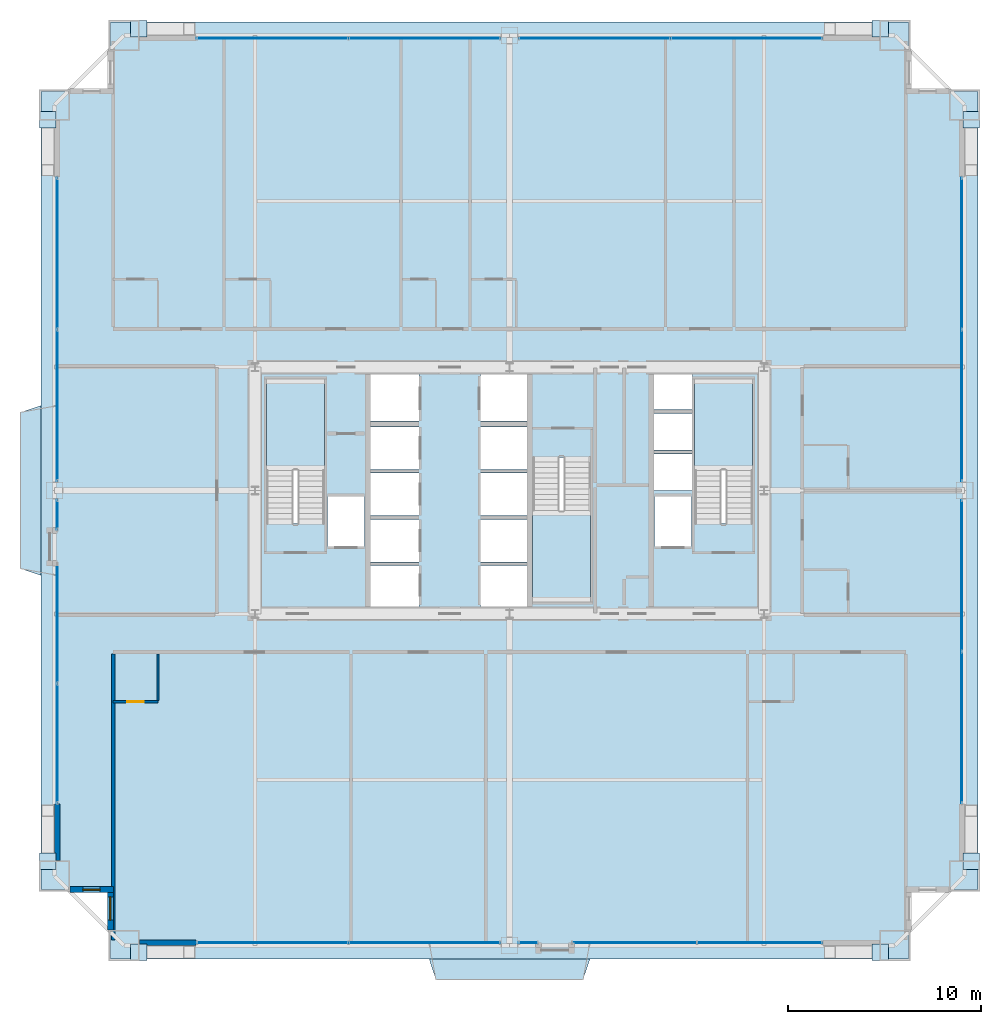
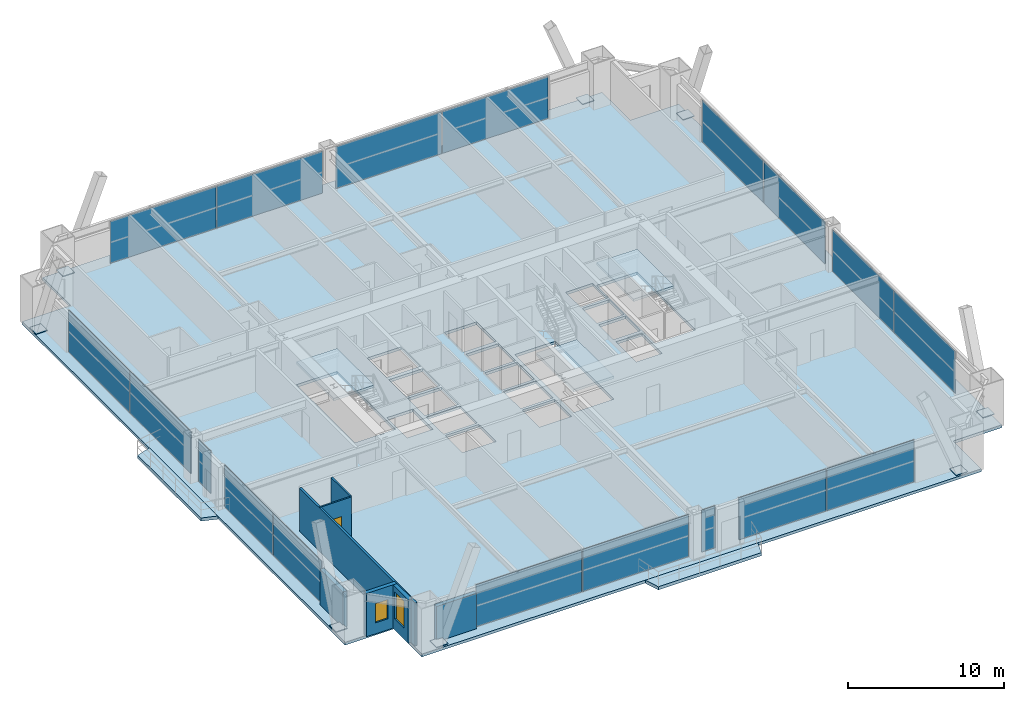
# One storey, part 36 of 41: 26 plates, 7 walls, 6 slabs, 2 windows, 1 door, 3 openings, 13 elements without a shape of their own.
"""IFC4 building model written with IfcOpenShell, lengths in metres."""

from ifc_helpers import new_model, si_unit, direction, frame, frame_2d, origin, origin_2d, place, context, subcontext, project, spatial, polyline, rectangle, outline, extrude, source, transform, mapped, material, layer, layer_set, type_object, element, fill, aggregate, save


model = new_model("IFC4")

# Units and contexts
model_context = context("Model", 3, precision=1e-05, world=origin(), true_north=direction((0.0, 1.0)))
body_context = subcontext(model_context, "Body", "Model", "MODEL_VIEW")
ifc_project = project(units=[si_unit("LENGTHUNIT", "METRE"), si_unit("AREAUNIT", "SQUARE_METRE"), si_unit("VOLUMEUNIT", "CUBIC_METRE"), si_unit("PLANEANGLEUNIT", "RADIAN"), si_unit("MASSUNIT", "GRAM", prefix="KILO"), si_unit("THERMODYNAMICTEMPERATUREUNIT", "KELVIN"), si_unit("POWERUNIT", "WATT")], contexts=[model_context])

# Site, building, storey
site_placement = place(None, origin())
site = spatial("IfcSite", under=ifc_project, at=site_placement, CompositionType="ELEMENT")
building_placement = place(site_placement, origin())
building = spatial("IfcBuilding", under=site, at=building_placement, Name="Yuzanri Waterfront Tower", CompositionType="ELEMENT")
storey_placement = place(building_placement, frame((0.0, 0.0, 115.39990234375)))
storey = spatial("IfcBuildingStorey", under=building, at=storey_placement, Name="L30", CompositionType="ELEMENT", Elevation=115.39990234375)

# Stair, slab
ifc_material_1 = material(Name="Concrete C40", Category="concrete")
stair_type = type_object("IfcStairType", Name="Concrete C40 Core Dogleg Exit Stair", PredefinedType="HALF_TURN_STAIR", material=ifc_material_1)
stair_1_placement = place(storey_placement, origin())
stair_1 = element("IfcStair", 1, at=stair_1_placement, inside=storey, type_object=stair_type, Name="L30 Smoke-Proof Core Stair ST-01", PredefinedType="HALF_TURN_STAIR")
ifc_material_2 = material(Name="Concrete C40", Category="concrete")
ifc_layer_1 = layer(ifc_material_2, 0.179931640625)
ifc_layer_set_1 = layer_set([ifc_layer_1], Name="Concrete C40")
slab_type_1 = type_object("IfcSlabType", Name="Concrete C40 Stair Half-Landing Slab 180", PredefinedType="LANDING", material=ifc_layer_set_1)
slab_1_placement = place(storey_placement, frame((0.0, 0.0, 1.60009765625)))
slab_1 = element("IfcSlab", 2, at=slab_1_placement, type_object=slab_type_1, Name="ST-01 landing 1", PredefinedType="LANDING", context=body_context, shape_type="SweptSolid", body=[
    extrude(outline(polyline([(27.39990234375, 26.840087890625), (27.39990234375, 31.580078125), (24.39990234375, 31.580078125), (24.39990234375, 26.840087890625), (27.39990234375, 26.840087890625)])), origin(), (0.0, 0.0, 1.0), 0.199951171875),
])
aggregate(stair_1, [slab_1])

stair_2_placement = place(storey_placement, origin())
stair_2 = element("IfcStair", 3, at=stair_2_placement, inside=storey, type_object=stair_type, Name="L30 Smoke-Proof Core Stair ST-02", PredefinedType="HALF_TURN_STAIR")
slab_2_placement = place(storey_placement, frame((0.0, 0.0, 1.60009765625)))
slab_2 = element("IfcSlab", 4, at=slab_2_placement, type_object=slab_type_1, Name="ST-02 landing 1", PredefinedType="LANDING", context=body_context, shape_type="SweptSolid", body=[
    extrude(outline(polyline([(49.60009765625, 26.840087890625), (49.60009765625, 31.580078125), (46.60009765625, 31.580078125), (46.60009765625, 26.840087890625), (49.60009765625, 26.840087890625)])), origin(), (0.0, 0.0, 1.0), 0.199951171875),
])
aggregate(stair_2, [slab_2])

stair_3_placement = place(storey_placement, origin())
stair_3 = element("IfcStair", 5, at=stair_3_placement, inside=storey, type_object=stair_type, Name="L30 Smoke-Proof Core Stair ST-03", PredefinedType="HALF_TURN_STAIR")
slab_3_placement = place(storey_placement, frame((0.0, 0.0, 1.60009765625)))
slab_3 = element("IfcSlab", 6, at=slab_3_placement, type_object=slab_type_1, Name="ST-03 landing 1", PredefinedType="LANDING", context=body_context, shape_type="SweptSolid", body=[
    extrude(outline(polyline([(38.199951171875, 24.760009765625), (38.199951171875, 20.02001953125), (41.199951171875, 20.02001953125), (41.199951171875, 24.760009765625), (38.199951171875, 24.760009765625)])), origin(), (0.0, 0.0, 1.0), 0.199951171875),
])
aggregate(stair_3, [slab_3])

# Slabs
ifc_material_3 = material(Name="Concrete C40", Category="concrete")
ifc_layer_2 = layer(ifc_material_3, 0.25)
ifc_layer_set_2 = layer_set([ifc_layer_2], Name="Concrete C40")
slab_type_2 = type_object("IfcSlabType", Name="Concrete C40 Stepped Gorge Pocket Garden Terrace Slab 250", PredefinedType="FLOOR", material=ifc_layer_set_2)
slab_4_placement = place(storey_placement, frame((0.0, 0.0, -0.25)))
element("IfcSlab", 7, at=slab_4_placement, inside=storey, type_object=slab_type_2, Name="L30 S Cantilevered Engawa Terrace Slab", PredefinedType="FLOOR", context=body_context, shape_type="SweptSolid", body=[
    extrude(outline(polyline([(32.8349609375, 1.5), (41.1650390625, 1.5), (40.81494140625, 0.43896484375), (33.18505859375, 0.43896484375), (32.8349609375, 1.5)])), origin(), (0.0, 0.0, 1.0), 0.25),
])
slab_5_placement = place(storey_placement, frame((0.0, 0.0, -0.25)))
element("IfcSlab", 8, at=slab_5_placement, inside=storey, type_object=slab_type_2, Name="L30 W Cantilevered Engawa Terrace Slab", PredefinedType="FLOOR", context=body_context, shape_type="SweptSolid", body=[
    extrude(outline(polyline([(12.699951171875, 21.39990234375), (11.638916015625, 21.75), (11.638916015625, 29.85009765625), (12.699951171875, 30.199951171875), (12.699951171875, 21.39990234375)])), origin(), (0.0, 0.0, 1.0), 0.25),
])
ifc_material_4 = material(Name="Concrete C40", Category="concrete")
ifc_layer_3 = layer(ifc_material_4, 0.219970703125)
ifc_layer_set_3 = layer_set([ifc_layer_3], Name="Concrete C40")
slab_type_3 = type_object("IfcSlabType", Name="Concrete C40 Tower Typical Structural Floor Slab 220", PredefinedType="FLOOR", material=ifc_layer_set_3)
slab_6_placement = place(storey_placement, frame((0.0, 0.0, -0.219970703125)))
element("IfcSlab", 9, at=slab_6_placement, inside=storey, type_object=slab_type_3, Name="L30 Main Structural Floor Slab", PredefinedType="FLOOR", context=body_context, shape_type="SweptSolid", body=[
    extrude(outline(polyline([(16.300048828125, 1.5), (57.699951171875, 1.5), (57.699951171875, 5.10009765625), (61.300048828125, 5.10009765625), (61.300048828125, 46.5), (57.699951171875, 46.5), (57.699951171875, 50.10009765625), (16.300048828125, 50.10009765625), (16.300048828125, 46.5), (12.699951171875, 46.5), (12.699951171875, 5.10009765625), (16.300048828125, 5.10009765625), (16.300048828125, 1.5)]), holes=[polyline([(27.39990234375, 24.10009765625), (27.39990234375, 31.580078125), (24.39990234375, 31.580078125), (24.39990234375, 24.10009765625), (27.39990234375, 24.10009765625)]), polyline([(49.60009765625, 24.10009765625), (49.60009765625, 31.580078125), (46.60009765625, 31.580078125), (46.60009765625, 24.10009765625), (49.60009765625, 24.10009765625)]), polyline([(38.199951171875, 27.5), (38.199951171875, 20.02001953125), (41.199951171875, 20.02001953125), (41.199951171875, 27.5), (38.199951171875, 27.5)]), polyline([(27.56005859375, 22.89990234375), (29.47998046875, 22.89990234375), (29.47998046875, 25.5), (27.56005859375, 25.5), (27.56005859375, 22.89990234375)]), polyline([(44.52001953125, 22.89990234375), (46.43994140625, 22.89990234375), (46.43994140625, 25.5), (44.52001953125, 25.5), (44.52001953125, 22.89990234375)]), polyline([(29.800048828125, 19.699951171875), (32.300048828125, 19.699951171875), (32.300048828125, 21.89990234375), (29.800048828125, 21.89990234375), (29.800048828125, 19.699951171875)]), polyline([(29.800048828125, 22.10009765625), (32.300048828125, 22.10009765625), (32.300048828125, 24.300048828125), (29.800048828125, 24.300048828125), (29.800048828125, 22.10009765625)]), polyline([(29.800048828125, 24.5), (32.300048828125, 24.5), (32.300048828125, 26.699951171875), (29.800048828125, 26.699951171875), (29.800048828125, 24.5)]), polyline([(29.800048828125, 26.89990234375), (32.300048828125, 26.89990234375), (32.300048828125, 29.10009765625), (29.800048828125, 29.10009765625), (29.800048828125, 26.89990234375)]), polyline([(29.800048828125, 29.39990234375), (32.300048828125, 29.39990234375), (32.300048828125, 31.89990234375), (29.800048828125, 31.89990234375), (29.800048828125, 29.39990234375)]), polyline([(35.5, 19.699951171875), (37.89990234375, 19.699951171875), (37.89990234375, 21.89990234375), (35.5, 21.89990234375), (35.5, 19.699951171875)]), polyline([(35.5, 22.10009765625), (37.89990234375, 22.10009765625), (37.89990234375, 24.300048828125), (35.5, 24.300048828125), (35.5, 22.10009765625)]), polyline([(35.5, 24.5), (37.89990234375, 24.5), (37.89990234375, 26.699951171875), (35.5, 26.699951171875), (35.5, 24.5)]), polyline([(35.5, 26.89990234375), (37.89990234375, 26.89990234375), (37.89990234375, 29.10009765625), (35.5, 29.10009765625), (35.5, 26.89990234375)]), polyline([(35.5, 29.39990234375), (37.89990234375, 29.39990234375), (37.89990234375, 31.89990234375), (35.5, 31.89990234375), (35.5, 29.39990234375)]), polyline([(44.5, 25.800048828125), (46.5, 25.800048828125), (46.5, 27.699951171875), (44.5, 27.699951171875), (44.5, 25.800048828125)]), polyline([(44.5, 27.89990234375), (46.5, 27.89990234375), (46.5, 29.800048828125), (44.5, 29.800048828125), (44.5, 27.89990234375)]), polyline([(44.5, 30.0), (46.5, 30.0), (46.5, 31.89990234375), (44.5, 31.89990234375), (44.5, 30.0)])]), origin(), (0.0, 0.0, 1.0), 0.219970703125),
])

# Plates
ifc_material_5 = material(Name="Steel Q420GJC", Category="steel")
ifc_layer_4 = layer(ifc_material_5, 0.0400390625)
ifc_layer_set_4 = layer_set([ifc_layer_4], Name="Steel Q420GJC")
plate_type_1 = type_object("IfcPlateType", Name="Steel Q420GJC Mega-Brace Gusset and End-Cap Plate 40", PredefinedType="SHEET", material=ifc_layer_set_4)
shared_shape_1 = source(origin(), body_context, "Body", "SweptSolid", [
    extrude(rectangle(XDim=0.85009765625, YDim=0.85009765625, at=origin_2d()), origin(), (0.0, 0.0, 1.0), 0.0400390625),
])
for number, where, z_axis, x_axis, name in (
    (10, (17.780029296875, 1.860107421875, 0.16015625), (0.0, 0.0, 1.0), (1.0, 0.0, 0.0), "L30 Mega-Brace Foot Cap Plate S-L"),
    (11, (56.219970703125, 1.860107421875, 0.16015625), (0.0, 0.0, 1.0), (1.0, 0.0, 0.0), "L30 Mega-Brace Foot Cap Plate S-R"),
    (12, (17.780029296875, 49.739990234375, 0.16015625), (0.0, 0.0, 1.0), (1.0, 0.0, 0.0), "L30 Mega-Brace Foot Cap Plate N-L"),
    (13, (56.219970703125, 49.739990234375, 0.16015625), (0.0, 0.0, 1.0), (1.0, 0.0, 0.0), "L30 Mega-Brace Foot Cap Plate N-R"),
    (14, (13.06005859375, 6.580078125, 0.16015625), (0.0, 0.0, 1.0), (1.0, 0.0, 0.0), "L30 Mega-Brace Foot Cap Plate W-L"),
    (15, (13.06005859375, 45.02001953125, 0.16015625), (0.0, 0.0, 1.0), (1.0, 0.0, 0.0), "L30 Mega-Brace Foot Cap Plate W-R"),
    (16, (60.93994140625, 6.580078125, 0.16015625), (0.0, 0.0, 1.0), (1.0, 0.0, 0.0), "L30 Mega-Brace Foot Cap Plate E-L"),
    (17, (60.93994140625, 45.02001953125, 0.16015625), (0.0, 0.0, 1.0), (1.0, 0.0, 0.0), "L30 Mega-Brace Foot Cap Plate E-R"),
):
    element("IfcPlate", number, at=place(storey_placement, frame(where, z_axis=z_axis, x_axis=x_axis)), inside=storey, type_object=plate_type_1, Name=name, PredefinedType="SHEET", context=body_context, shape_type="MappedRepresentation", body=[
        mapped(shared_shape_1, transform((0.0, 0.0, 0.0), scale=1.0)),
    ])

# Curtain wall, plate
ifc_material_6 = material(Name="Anodized Architectural Bronze", Category="metal")
ifc_layer_5 = layer(ifc_material_6, 0.159912109375)
ifc_layer_set_5 = layer_set([ifc_layer_5], Name="Anodized Architectural Bronze")
curtain_wall_type = type_object("IfcCurtainWallType", Name="Anodized Bronze Hotel Upper-Tier Solar-Control Unitized Curtain Wall 7800", PredefinedType="NOTDEFINED", material=ifc_layer_set_5)
curtain_wall_1_placement = place(storey_placement, origin())
curtain_wall_1 = element("IfcCurtainWall", 18, at=curtain_wall_1_placement, inside=storey, type_object=curtain_wall_type, Name="L30 Curtain Wall CW-L30-WL2", PredefinedType="NOTDEFINED")
ifc_material_7 = material(Name="Double-Silver Low-E Insulated Glass", Category="glass")
ifc_layer_6 = layer(ifc_material_7, 0.035888671875)
ifc_layer_set_6 = layer_set([ifc_layer_6], Name="Double-Silver Low-E Insulated Glass")
plate_type_2 = type_object("IfcPlateType", Name="Double Silver Low-E Insulated Vision Glass Panel 36", PredefinedType="CURTAIN_PANEL", material=ifc_layer_set_6)
shared_shape_2 = source(origin(), body_context, "Body", "SweptSolid", [
    extrude(rectangle(XDim=1.544921875, YDim=0.035888671875, at=origin_2d()), origin(), (0.0, 0.0, 1.0), 3.280029296875),
])
plate_1_placement = place(storey_placement, frame((13.550048828125, 24.53759765625, 0.05029296875), z_axis=(0.0, 0.0, 1.0), x_axis=(0.0, 1.0, 0.0)))
plate_1 = element("IfcPlate", 19, at=plate_1_placement, type_object=plate_type_2, Name="CW-L30-WL2 Vision Glass Panel 01", PredefinedType="CURTAIN_PANEL", context=body_context, shape_type="MappedRepresentation", body=[
    mapped(shared_shape_2, transform((0.0, 0.0, 0.0), scale=1.0)),
])
aggregate(curtain_wall_1, [plate_1])

# Curtain wall, plates
curtain_wall_2_placement = place(storey_placement, origin())
curtain_wall_2 = element("IfcCurtainWall", 20, at=curtain_wall_2_placement, inside=storey, type_object=curtain_wall_type, Name="L30 Curtain Wall CW-L30-SL", PredefinedType="NOTDEFINED")
shared_shape_3 = source(origin(), body_context, "Body", "SweptSolid", [
    extrude(rectangle(XDim=7.820068359375, YDim=0.035888671875, at=origin_2d()), origin(), (0.0, 0.0, 1.0), 3.280029296875),
])
plate_2_placement = place(storey_placement, frame((24.699951171875, 2.35009765625, 0.05029296875), z_axis=(0.0, 0.0, 1.0), x_axis=(1.0, 0.0, 0.0)))
plate_2 = element("IfcPlate", 21, at=plate_2_placement, type_object=plate_type_2, Name="CW-L30-SL Vision Glass Panel 01", PredefinedType="CURTAIN_PANEL", context=body_context, shape_type="MappedRepresentation", body=[
    mapped(shared_shape_3, transform((0.0, 0.0, 0.0), scale=1.0)),
])
plate_3_placement = place(storey_placement, frame((32.60009765625, 2.35009765625, 0.05029296875), z_axis=(0.0, 0.0, 1.0), x_axis=(1.0, 0.0, 0.0)))
plate_3 = element("IfcPlate", 22, at=plate_3_placement, type_object=plate_type_2, Name="CW-L30-SL Vision Glass Panel 02", PredefinedType="CURTAIN_PANEL", context=body_context, shape_type="MappedRepresentation", body=[
    mapped(shared_shape_3, transform((0.0, 0.0, 0.0), scale=1.0)),
])
aggregate(curtain_wall_2, [plate_2, plate_3])

curtain_wall_3_placement = place(storey_placement, origin())
curtain_wall_3 = element("IfcCurtainWall", 23, at=curtain_wall_3_placement, inside=storey, type_object=curtain_wall_type, Name="L30 Curtain Wall CW-L30-NL", PredefinedType="NOTDEFINED")
plate_4_placement = place(storey_placement, frame((24.699951171875, 49.25, 0.05029296875), z_axis=(0.0, 0.0, 1.0), x_axis=(1.0, 0.0, 0.0)))
plate_4 = element("IfcPlate", 24, at=plate_4_placement, type_object=plate_type_2, Name="CW-L30-NL Vision Glass Panel 01", PredefinedType="CURTAIN_PANEL", context=body_context, shape_type="MappedRepresentation", body=[
    mapped(shared_shape_3, transform((0.0, 0.0, 0.0), scale=1.0)),
])
plate_5_placement = place(storey_placement, frame((32.60009765625, 49.25, 0.05029296875), z_axis=(0.0, 0.0, 1.0), x_axis=(1.0, 0.0, 0.0)))
plate_5 = element("IfcPlate", 25, at=plate_5_placement, type_object=plate_type_2, Name="CW-L30-NL Vision Glass Panel 02", PredefinedType="CURTAIN_PANEL", context=body_context, shape_type="MappedRepresentation", body=[
    mapped(shared_shape_3, transform((0.0, 0.0, 0.0), scale=1.0)),
])
aggregate(curtain_wall_3, [plate_4, plate_5])

curtain_wall_4_placement = place(storey_placement, origin())
curtain_wall_4 = element("IfcCurtainWall", 26, at=curtain_wall_4_placement, inside=storey, type_object=curtain_wall_type, Name="L30 Curtain Wall CW-L30-NR", PredefinedType="NOTDEFINED")
plate_6_placement = place(storey_placement, frame((41.39990234375, 49.25, 0.05029296875), z_axis=(0.0, 0.0, 1.0), x_axis=(1.0, 0.0, 0.0)))
plate_6 = element("IfcPlate", 27, at=plate_6_placement, type_object=plate_type_2, Name="CW-L30-NR Vision Glass Panel 01", PredefinedType="CURTAIN_PANEL", context=body_context, shape_type="MappedRepresentation", body=[
    mapped(shared_shape_3, transform((0.0, 0.0, 0.0), scale=1.0)),
])
plate_7_placement = place(storey_placement, frame((49.300048828125, 49.25, 0.05029296875), z_axis=(0.0, 0.0, 1.0), x_axis=(1.0, 0.0, 0.0)))
plate_7 = element("IfcPlate", 28, at=plate_7_placement, type_object=plate_type_2, Name="CW-L30-NR Vision Glass Panel 02", PredefinedType="CURTAIN_PANEL", context=body_context, shape_type="MappedRepresentation", body=[
    mapped(shared_shape_3, transform((0.0, 0.0, 0.0), scale=1.0)),
])
aggregate(curtain_wall_4, [plate_6, plate_7])

curtain_wall_5_placement = place(storey_placement, origin())
curtain_wall_5 = element("IfcCurtainWall", 29, at=curtain_wall_5_placement, inside=storey, type_object=curtain_wall_type, Name="L30 Curtain Wall CW-L30-WR", PredefinedType="NOTDEFINED")
plate_8_placement = place(storey_placement, frame((13.550048828125, 30.199951171875, 0.05029296875), z_axis=(0.0, 0.0, 1.0), x_axis=(0.0, 1.0, 0.0)))
plate_8 = element("IfcPlate", 30, at=plate_8_placement, type_object=plate_type_2, Name="CW-L30-WR Vision Glass Panel 01", PredefinedType="CURTAIN_PANEL", context=body_context, shape_type="MappedRepresentation", body=[
    mapped(shared_shape_3, transform((0.0, 0.0, 0.0), scale=1.0)),
])
plate_9_placement = place(storey_placement, frame((13.550048828125, 38.10009765625, 0.05029296875), z_axis=(0.0, 0.0, 1.0), x_axis=(0.0, 1.0, 0.0)))
plate_9 = element("IfcPlate", 31, at=plate_9_placement, type_object=plate_type_2, Name="CW-L30-WR Vision Glass Panel 02", PredefinedType="CURTAIN_PANEL", context=body_context, shape_type="MappedRepresentation", body=[
    mapped(shared_shape_3, transform((0.0, 0.0, 0.0), scale=1.0)),
])
aggregate(curtain_wall_5, [plate_8, plate_9])

curtain_wall_6_placement = place(storey_placement, origin())
curtain_wall_6 = element("IfcCurtainWall", 32, at=curtain_wall_6_placement, inside=storey, type_object=curtain_wall_type, Name="L30 Curtain Wall CW-L30-EL", PredefinedType="NOTDEFINED")
plate_10_placement = place(storey_placement, frame((60.449951171875, 13.5, 0.05029296875), z_axis=(0.0, 0.0, 1.0), x_axis=(0.0, 1.0, 0.0)))
plate_10 = element("IfcPlate", 33, at=plate_10_placement, type_object=plate_type_2, Name="CW-L30-EL Vision Glass Panel 01", PredefinedType="CURTAIN_PANEL", context=body_context, shape_type="MappedRepresentation", body=[
    mapped(shared_shape_3, transform((0.0, 0.0, 0.0), scale=1.0)),
])
plate_11_placement = place(storey_placement, frame((60.449951171875, 21.39990234375, 0.05029296875), z_axis=(0.0, 0.0, 1.0), x_axis=(0.0, 1.0, 0.0)))
plate_11 = element("IfcPlate", 34, at=plate_11_placement, type_object=plate_type_2, Name="CW-L30-EL Vision Glass Panel 02", PredefinedType="CURTAIN_PANEL", context=body_context, shape_type="MappedRepresentation", body=[
    mapped(shared_shape_3, transform((0.0, 0.0, 0.0), scale=1.0)),
])
aggregate(curtain_wall_6, [plate_10, plate_11])

curtain_wall_7_placement = place(storey_placement, origin())
curtain_wall_7 = element("IfcCurtainWall", 35, at=curtain_wall_7_placement, inside=storey, type_object=curtain_wall_type, Name="L30 Curtain Wall CW-L30-ER", PredefinedType="NOTDEFINED")
plate_12_placement = place(storey_placement, frame((60.449951171875, 30.199951171875, 0.05029296875), z_axis=(0.0, 0.0, 1.0), x_axis=(0.0, 1.0, 0.0)))
plate_12 = element("IfcPlate", 36, at=plate_12_placement, type_object=plate_type_2, Name="CW-L30-ER Vision Glass Panel 01", PredefinedType="CURTAIN_PANEL", context=body_context, shape_type="MappedRepresentation", body=[
    mapped(shared_shape_3, transform((0.0, 0.0, 0.0), scale=1.0)),
])
plate_13_placement = place(storey_placement, frame((60.449951171875, 38.10009765625, 0.05029296875), z_axis=(0.0, 0.0, 1.0), x_axis=(0.0, 1.0, 0.0)))
plate_13 = element("IfcPlate", 37, at=plate_13_placement, type_object=plate_type_2, Name="CW-L30-ER Vision Glass Panel 02", PredefinedType="CURTAIN_PANEL", context=body_context, shape_type="MappedRepresentation", body=[
    mapped(shared_shape_3, transform((0.0, 0.0, 0.0), scale=1.0)),
])
aggregate(curtain_wall_7, [plate_12, plate_13])

curtain_wall_8_placement = place(storey_placement, origin())
curtain_wall_8 = element("IfcCurtainWall", 38, at=curtain_wall_8_placement, inside=storey, type_object=curtain_wall_type, Name="L30 Curtain Wall CW-L30-WL1", PredefinedType="NOTDEFINED")
shared_shape_4 = source(origin(), body_context, "Body", "SweptSolid", [
    extrude(rectangle(XDim=6.157470703125, YDim=0.035888671875, at=origin_2d()), origin(), (0.0, 0.0, 1.0), 3.280029296875),
])
plate_14_placement = place(storey_placement, frame((13.550048828125, 12.668701171875, 0.05029296875), z_axis=(0.0, 0.0, 1.0), x_axis=(0.0, 1.0, 0.0)))
plate_14 = element("IfcPlate", 39, at=plate_14_placement, type_object=plate_type_2, Name="CW-L30-WL1 Vision Glass Panel 01", PredefinedType="CURTAIN_PANEL", context=body_context, shape_type="MappedRepresentation", body=[
    mapped(shared_shape_4, transform((0.0, 0.0, 0.0), scale=1.0)),
])
plate_15_placement = place(storey_placement, frame((13.550048828125, 18.90625, 0.05029296875), z_axis=(0.0, 0.0, 1.0), x_axis=(0.0, 1.0, 0.0)))
plate_15 = element("IfcPlate", 40, at=plate_15_placement, type_object=plate_type_2, Name="CW-L30-WL1 Vision Glass Panel 02", PredefinedType="CURTAIN_PANEL", context=body_context, shape_type="MappedRepresentation", body=[
    mapped(shared_shape_4, transform((0.0, 0.0, 0.0), scale=1.0)),
])
aggregate(curtain_wall_8, [plate_14, plate_15])

# Curtain wall, plate
curtain_wall_9_placement = place(storey_placement, origin())
curtain_wall_9 = element("IfcCurtainWall", 41, at=curtain_wall_9_placement, inside=storey, type_object=curtain_wall_type, Name="L30 Curtain Wall CW-L30-SR1", PredefinedType="NOTDEFINED")
shared_shape_5 = source(origin(), body_context, "Body", "SweptSolid", [
    extrude(rectangle(XDim=0.97802734375, YDim=0.035888671875, at=origin_2d()), origin(), (0.0, 0.0, 1.0), 3.280029296875),
])
plate_16_placement = place(storey_placement, frame((37.97900390625, 2.35009765625, 0.05029296875), z_axis=(0.0, 0.0, 1.0), x_axis=(1.0, 0.0, 0.0)))
plate_16 = element("IfcPlate", 42, at=plate_16_placement, type_object=plate_type_2, Name="CW-L30-SR1 Vision Glass Panel 01", PredefinedType="CURTAIN_PANEL", context=body_context, shape_type="MappedRepresentation", body=[
    mapped(shared_shape_5, transform((0.0, 0.0, 0.0), scale=1.0)),
])
aggregate(curtain_wall_9, [plate_16])

# Curtain wall, plates
curtain_wall_10_placement = place(storey_placement, origin())
curtain_wall_10 = element("IfcCurtainWall", 43, at=curtain_wall_10_placement, inside=storey, type_object=curtain_wall_type, Name="L30 Curtain Wall CW-L30-SR2", PredefinedType="NOTDEFINED")
shared_shape_6 = source(origin(), body_context, "Body", "SweptSolid", [
    extrude(rectangle(XDim=6.44091796875, YDim=0.035888671875, at=origin_2d()), origin(), (0.0, 0.0, 1.0), 3.280029296875),
])
plate_17_placement = place(storey_placement, frame((43.468505859375, 2.35009765625, 0.05029296875), z_axis=(0.0, 0.0, 1.0), x_axis=(1.0, 0.0, 0.0)))
plate_17 = element("IfcPlate", 44, at=plate_17_placement, type_object=plate_type_2, Name="CW-L30-SR2 Vision Glass Panel 01", PredefinedType="CURTAIN_PANEL", context=body_context, shape_type="MappedRepresentation", body=[
    mapped(shared_shape_6, transform((0.0, 0.0, 0.0), scale=1.0)),
])
plate_18_placement = place(storey_placement, frame((49.989501953125, 2.35009765625, 0.05029296875), z_axis=(0.0, 0.0, 1.0), x_axis=(1.0, 0.0, 0.0)))
plate_18 = element("IfcPlate", 45, at=plate_18_placement, type_object=plate_type_2, Name="CW-L30-SR2 Vision Glass Panel 02", PredefinedType="CURTAIN_PANEL", context=body_context, shape_type="MappedRepresentation", body=[
    mapped(shared_shape_6, transform((0.0, 0.0, 0.0), scale=1.0)),
])
aggregate(curtain_wall_10, [plate_17, plate_18])

# Wall, opening, door
ifc_material_8 = material(Name="Moisture-Resistant Gypsum Stud Wall", Category="gypsum")
ifc_layer_7 = layer(ifc_material_8, 0.1201171875)
ifc_layer_set_7 = layer_set([ifc_layer_7], Name="Moisture-Resistant Gypsum Stud Wall")
wall_type_1 = type_object("IfcWallType", Name="Bathroom and Kitchen Wet Partition 120", PredefinedType="PARTITIONING", material=ifc_layer_set_7)
wall_1_placement = place(storey_placement, frame((16.43994140625, 14.840087890625, 0.0), z_axis=(0.0, 0.0, 1.0), x_axis=(1.0, 0.0, 0.0)))
wall_1 = element("IfcWall", 46, at=wall_1_placement, inside=storey, type_object=wall_type_1, Name="L30 Partition UW-L30-S1-BS", PredefinedType="PARTITIONING", context=body_context, shape_type="SweptSolid", body=[
    extrude(rectangle(XDim=2.330078125, YDim=0.1201171875, at=frame_2d((1.1650390625, 0.0))), origin(), (0.0, 0.0, 1.0), 3.380126953125),
])
opening_1_placement = place(wall_1_placement, frame((0.739990234375, 0.0, 0.0)))
opening_1 = element("IfcOpeningElement", 47, at=opening_1_placement, cuts=wall_1, Name="Opening ID-0850", PredefinedType="OPENING", context=body_context, shape_type="SweptSolid", body=[
    extrude(rectangle(XDim=0.85009765625, YDim=2.10009765625, at=frame_2d((0.425048828125, 1.050048828125))), frame((0.0, 0.074951171875, 0.0), z_axis=(0.0, -1.0, 0.0), x_axis=(1.0, 0.0, 0.0)), (0.0, 0.0, 1.0), 0.14990234375),
])
ifc_material_9 = material(Name="Moisture-Resistant Lacquered Timber", Category="wood")
door_type = type_object("IfcDoorType", Name="En-Suite Bathroom and Kitchen Swing Door 850x2100", OperationType="NOTDEFINED", PredefinedType="DOOR", material=ifc_material_9)
shared_shape_7 = source(origin(), body_context, "Body", "SweptSolid", [
    extrude(rectangle(XDim=0.85009765625, YDim=2.10009765625, at=frame_2d((0.425048828125, 1.050048828125))), frame((0.0, 0.02490234375, 0.0), z_axis=(0.0, -1.0, 0.0), x_axis=(1.0, 0.0, 0.0)), (0.0, 0.0, 1.0), 0.050048828125),
])
door_placement = place(opening_1_placement, origin())
door = element("IfcDoor", 48, at=door_placement, inside=storey, type_object=door_type, Name="L30 Guest En-Suite Door", OperationType="SINGLE_SWING_RIGHT", OverallHeight=2.10009765625, OverallWidth=0.85009765625, PredefinedType="DOOR", context=body_context, shape_type="MappedRepresentation", body=[
    mapped(shared_shape_7, transform((0.0, 0.0, 0.0), scale=1.0)),
])
fill(opening_1, door)

# Wall, opening, window
ifc_material_10 = material(Name="Honed Chongqing Dark Basalt Stone", Category="masonry")
ifc_layer_8 = layer(ifc_material_10, 0.300048828125)
ifc_layer_set_8 = layer_set([ifc_layer_8], Name="Honed Chongqing Dark Basalt Stone")
wall_type_2 = type_object("IfcWallType", Name="Bronze Rainscreen Insulated Spandrel Portal Wall 300", PredefinedType="SOLIDWALL", material=ifc_layer_set_8)
wall_2_placement = place(storey_placement, frame((14.199951171875, 5.10009765625, 0.0), z_axis=(0.0, 0.0, 1.0), x_axis=(1.0, 0.0, 0.0)))
wall_2 = element("IfcWall", 49, at=wall_2_placement, inside=storey, type_object=wall_type_2, Name="L30 Notched Corner Masonry Wall SW-X", PredefinedType="SOLIDWALL", context=body_context, shape_type="SweptSolid", body=[
    extrude(rectangle(XDim=2.25, YDim=0.300048828125, at=frame_2d((1.125, 0.0))), origin(), (0.0, 0.0, 1.0), 3.380126953125),
])
opening_2_placement = place(wall_2_placement, frame((0.675048828125, 0.0, 0.85009765625)))
opening_2 = element("IfcOpeningElement", 50, at=opening_2_placement, cuts=wall_2, Name="Opening WN-05", PredefinedType="OPENING", context=body_context, shape_type="SweptSolid", body=[
    extrude(rectangle(XDim=0.89990234375, YDim=1.5, at=frame_2d((0.449951171875, 0.75))), frame((0.0, 0.1650390625, 0.0), z_axis=(0.0, -1.0, 0.0), x_axis=(1.0, 0.0, 0.0)), (0.0, 0.0, 1.0), 0.329833984375),
])
ifc_material_11 = material(Name="Double-Silver Low-E Insulated Glass", Category="glass")
window_type_1 = type_object("IfcWindowType", Name="Anodized Bronze Service and Stairwell Smoke-Vent Window 900x1500", PartitioningType="SINGLE_PANEL", PredefinedType="WINDOW", material=ifc_material_11)
shared_shape_8 = source(origin(), body_context, "Body", "SweptSolid", [
    extrude(rectangle(XDim=0.89990234375, YDim=1.5, at=frame_2d((0.449951171875, 0.75))), frame((0.0, 0.030029296875, 0.0), z_axis=(0.0, -1.0, 0.0), x_axis=(1.0, 0.0, 0.0)), (0.0, 0.0, 1.0), 0.06005859375),
])
window_1_placement = place(opening_2_placement, origin())
window_1 = element("IfcWindow", 51, at=window_1_placement, inside=storey, type_object=window_type_1, Name="L30 Notched Corner Window SW-X", OverallHeight=1.5, OverallWidth=0.89990234375, PartitioningType="SINGLE_PANEL", PredefinedType="WINDOW", context=body_context, shape_type="MappedRepresentation", body=[
    mapped(shared_shape_8, transform((0.0, 0.0, 0.0), scale=1.0)),
])
fill(opening_2, window_1)

wall_3_placement = place(storey_placement, frame((16.300048828125, 5.25, 0.0), z_axis=(0.0, 0.0, 1.0), x_axis=(0.0, -1.0, 0.0)))
wall_3 = element("IfcWall", 52, at=wall_3_placement, inside=storey, type_object=wall_type_2, Name="L30 Notched Corner Masonry Wall SW-Y", PredefinedType="SOLIDWALL", context=body_context, shape_type="SweptSolid", body=[
    extrude(rectangle(XDim=2.25, YDim=0.300048828125, at=frame_2d((1.125, 0.0))), origin(), (0.0, 0.0, 1.0), 3.380126953125),
])
opening_3_placement = place(wall_3_placement, frame((0.52490234375, 0.0, 0.85009765625)))
opening_3 = element("IfcOpeningElement", 53, at=opening_3_placement, cuts=wall_3, Name="Opening WN-02", PredefinedType="OPENING", context=body_context, shape_type="SweptSolid", body=[
    extrude(rectangle(XDim=1.199951171875, YDim=2.10009765625, at=frame_2d((0.60009765625, 1.050048828125))), frame((0.0, 0.1650390625, 0.0), z_axis=(0.0, -1.0, 0.0), x_axis=(1.0, 0.0, 0.0)), (0.0, 0.0, 1.0), 0.329833984375),
])
ifc_material_12 = material(Name="Double-Silver Low-E Insulated Glass", Category="glass")
window_type_2 = type_object("IfcWindowType", Name="Anodized Bronze Notched Corner Deep-Set Slot Window 1200x2100", PartitioningType="SINGLE_PANEL", PredefinedType="WINDOW", material=ifc_material_12)
shared_shape_9 = source(origin(), body_context, "Body", "SweptSolid", [
    extrude(rectangle(XDim=1.199951171875, YDim=2.10009765625, at=frame_2d((0.60009765625, 1.050048828125))), frame((0.0, 0.030029296875, 0.0), z_axis=(0.0, -1.0, 0.0), x_axis=(1.0, 0.0, 0.0)), (0.0, 0.0, 1.0), 0.06005859375),
])
window_2_placement = place(opening_3_placement, origin())
window_2 = element("IfcWindow", 54, at=window_2_placement, inside=storey, type_object=window_type_2, Name="L30 Notched Corner Window SW-Y", OverallHeight=2.10009765625, OverallWidth=1.199951171875, PartitioningType="SINGLE_PANEL", PredefinedType="WINDOW", context=body_context, shape_type="MappedRepresentation", body=[
    mapped(shared_shape_9, transform((0.0, 0.0, 0.0), scale=1.0)),
])
fill(opening_3, window_2)

# Walls
shared_shape_10 = source(origin(), body_context, "Body", "SweptSolid", [
    extrude(rectangle(XDim=2.949951171875, YDim=0.300048828125, at=frame_2d((1.47509765625, 0.0))), origin(), (0.0, 0.0, 1.0), 2.775146484375),
])
for number, where, z_axis, x_axis, name in (
    (55, (17.800048828125, 2.35009765625, 0.0), (0.0, 0.0, 1.0), (1.0, 0.0, 0.0), "L30 S Left Braced Masonry Shoulder"),
    (56, (13.550048828125, 6.60009765625, 0.0), (0.0, 0.0, 1.0), (0.0, 1.0, 0.0), "L30 W Left Braced Masonry Shoulder"),
):
    element("IfcWall", number, at=place(storey_placement, frame(where, z_axis=z_axis, x_axis=x_axis)), inside=storey, type_object=wall_type_2, Name=name, PredefinedType="SOLIDWALL", context=body_context, shape_type="MappedRepresentation", body=[
        mapped(shared_shape_10, transform((0.0, 0.0, 0.0), scale=1.0)),
    ])
shared_shape_11 = source(origin(), body_context, "Body", "SweptSolid", [
    extrude(rectangle(XDim=2.420166015625, YDim=0.1201171875, at=frame_2d((1.2099609375, 0.0))), origin(), (0.0, 0.0, 1.0), 3.380126953125),
])
wall_4_placement = place(storey_placement, frame((18.77001953125, 14.89990234375, 0.0), z_axis=(0.0, 0.0, 1.0), x_axis=(0.0, 1.0, 0.0)))
element("IfcWall", 57, at=wall_4_placement, inside=storey, type_object=wall_type_1, Name="L30-S1 En-Suite Side Wall", PredefinedType="PARTITIONING", context=body_context, shape_type="MappedRepresentation", body=[
    mapped(shared_shape_11, transform((0.0, 0.0, 0.0), scale=1.0)),
])
ifc_material_13 = material(Name="Gypsum Fireboard Acoustic Stud Wall", Category="gypsum")
ifc_layer_9 = layer(ifc_material_13, 0.159912109375)
ifc_layer_set_9 = layer_set([ifc_layer_9], Name="Gypsum Fireboard Acoustic Stud Wall")
wall_type_3 = type_object("IfcWallType", Name="Acoustic Suite Demising Partition 160", PredefinedType="PARTITIONING", material=ifc_layer_set_9)
shared_shape_12 = source(origin(), body_context, "Body", "SweptSolid", [
    extrude(rectangle(XDim=14.820068359375, YDim=0.159912109375, at=frame_2d((7.41015625, 0.0))), origin(), (0.0, 0.0, 1.0), 3.380126953125),
])
wall_5_placement = place(storey_placement, frame((16.449951171875, 2.5, 0.0), z_axis=(0.0, 0.0, 1.0), x_axis=(0.0, 1.0, 0.0)))
element("IfcWall", 58, at=wall_5_placement, inside=storey, type_object=wall_type_3, Name="L30 South Band West End Wall", PredefinedType="PARTITIONING", context=body_context, shape_type="MappedRepresentation", body=[
    mapped(shared_shape_12, transform((0.0, 0.0, 0.0), scale=1.0)),
])

save(model, "model.ifc")
